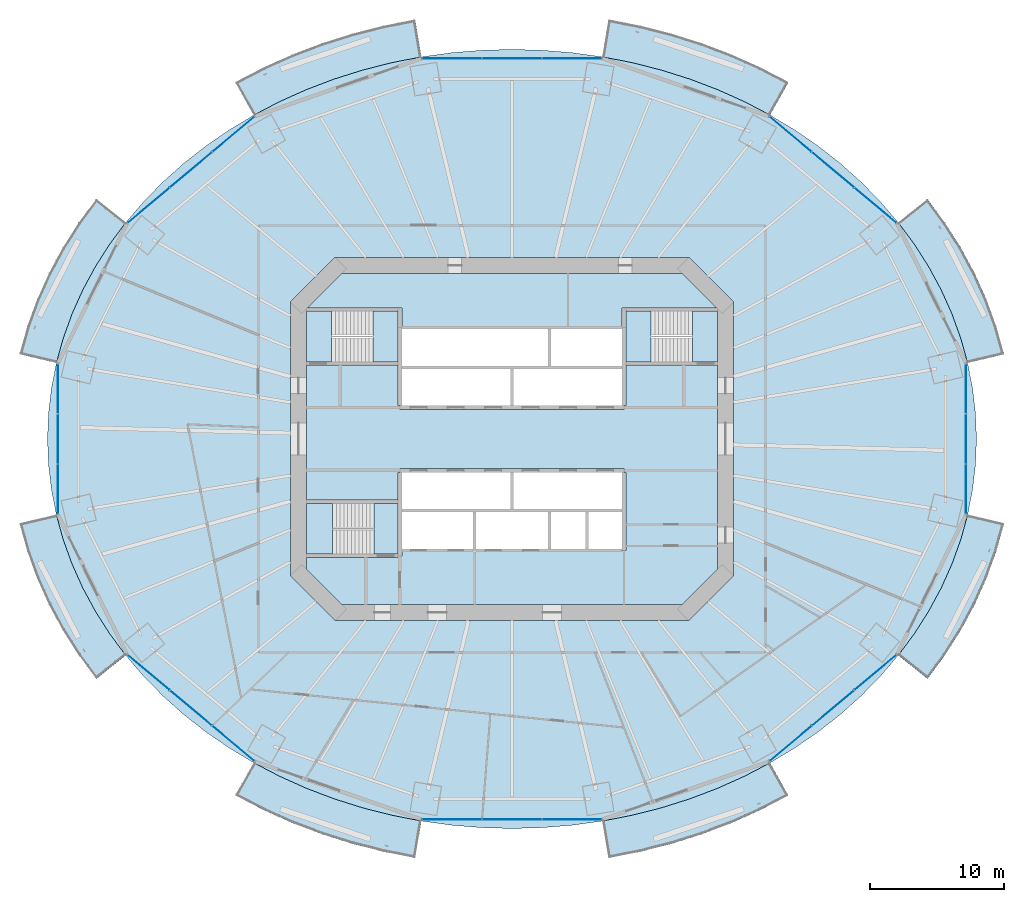
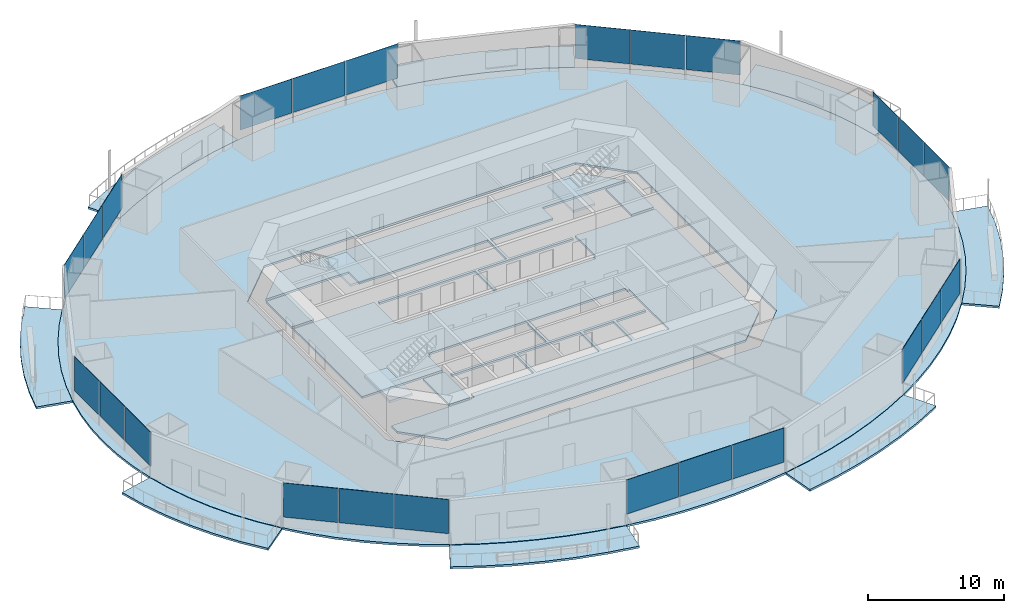
# One storey, part 12 of 22: 24 plates, 17 slabs, 11 elements without a shape of their own.
"""IFC4 building model written with IfcOpenShell, lengths in metres."""

import ifcopenshell
import ifcopenshell.guid

model = None  # the IFC model being written
_history = None  # IfcOwnerHistory: only IFC2X3 demands one
_inside = {}  # id of a spatial element -> (the spatial element, [elements in it])
_under = {}  # id of a project, library or spatial element -> (it, [spatial elements below it])
_declared = {}  # id of a project -> (the project, [libraries it declares])
_typed = {}  # id of a type object -> (the type object, [elements of that type])
_made_of = {}  # id of a material, layer set ... -> (it, [elements and type objects made of it])


def new_model(schema):
    """Start an empty IFC model of exactly this schema.

    Asked for "IFC4X3", IfcOpenShell would pick the latest addendum, in which some entities
    have other attributes; the version numbers below select the first issue.
    IFC2X3 requires an IfcOwnerHistory on every rooted entity: one is made here for all.
    """
    global model, _history
    if schema == "IFC4X3":
        model = ifcopenshell.file(schema_version=(4, 3, 0, 0))
    else:
        model = ifcopenshell.file(schema=schema)
    _inside.clear()
    _under.clear()
    _declared.clear()
    _typed.clear()
    _made_of.clear()
    _history = None
    if model.schema == "IFC2X3":
        org = make("IfcOrganization", Name="unknown")
        user = make(
            "IfcPersonAndOrganization",
            ThePerson=make("IfcPerson", FamilyName="unknown"),
            TheOrganization=org,
        )
        app = make(
            "IfcApplication",
            ApplicationDeveloper=org,
            Version="unknown",
            ApplicationFullName="unknown",
            ApplicationIdentifier="unknown",
        )
        _history = make(
            "IfcOwnerHistory",
            OwningUser=user,
            OwningApplication=app,
            ChangeAction="ADDED",
            CreationDate=0,
        )
    return model


def make(cls, **values):
    """One entity of the class cls with the attributes given. An attribute that is None is left unset."""
    return model.create_entity(
        cls, **{name: value for name, value in values.items() if value is not None}
    )


def rooted(cls, **values):
    """An entity with a GlobalId (a new one), such as an element, a storey or a relation."""
    return make(cls, GlobalId=ifcopenshell.guid.new(), OwnerHistory=_history, **values)


def si_unit(unit_type, name, prefix=None):
    """IfcSIUnit, for example si_unit("LENGTHUNIT", "METRE", prefix="MILLI")."""
    return make("IfcSIUnit", UnitType=unit_type, Prefix=prefix, Name=name)


def assignment(units):
    """IfcUnitAssignment: the units of a project."""
    return None if units is None else make("IfcUnitAssignment", Units=units)


def point(xyz):
    """IfcCartesianPoint."""
    return None if xyz is None else make("IfcCartesianPoint", Coordinates=xyz)


def direction(xyz):
    """IfcDirection."""
    return None if xyz is None else make("IfcDirection", DirectionRatios=xyz)


def frame(location, z_axis=None, x_axis=None):
    """IfcAxis2Placement3D, a coordinate frame: its origin and axes. An axis left out is left unset."""
    return make(
        "IfcAxis2Placement3D",
        Location=point(location),
        Axis=direction(z_axis),
        RefDirection=direction(x_axis),
    )


def frame_2d(location, x_axis=None):
    """IfcAxis2Placement2D, a coordinate frame in the plane: its origin and x axis."""
    return make(
        "IfcAxis2Placement2D", Location=point(location), RefDirection=direction(x_axis)
    )


def origin():
    """The frame at (0, 0, 0) with its axes left unset."""
    return frame((0.0, 0.0, 0.0))


def origin_2d():
    """The frame at (0, 0) in the plane with its x axis left unset."""
    return frame_2d((0.0, 0.0))


def place(relative_to, where):
    """IfcLocalPlacement: puts the frame where relative to a parent placement (None: the world)."""
    return make(
        "IfcLocalPlacement", PlacementRelTo=relative_to, RelativePlacement=where
    )


def context(
    kind, dimensions, precision=None, world=None, true_north=None, identifier=None
):
    """IfcGeometricRepresentationContext, for example the 3D "Model" context."""
    return make(
        "IfcGeometricRepresentationContext",
        ContextIdentifier=identifier,
        ContextType=kind,
        CoordinateSpaceDimension=dimensions,
        Precision=precision,
        WorldCoordinateSystem=world,
        TrueNorth=true_north,
    )


def subcontext(parent, identifier, kind, view, scale=None):
    """IfcGeometricRepresentationSubContext, for example "Body" below "Model"."""
    return make(
        "IfcGeometricRepresentationSubContext",
        ContextIdentifier=identifier,
        ContextType=kind,
        ParentContext=parent,
        TargetScale=scale,
        TargetView=view,
    )


def project(units=None, contexts=None):
    """IfcProject with its units and contexts."""
    return rooted(
        "IfcProject",
        Name="project",
        RepresentationContexts=contexts,
        UnitsInContext=assignment(units),
    )


def spatial(cls, under=None, at=None, **own):
    """A site, building, storey or space (cls), placed at a placement, below another one or the project."""
    s = rooted(cls, ObjectPlacement=at, **own)
    if under is not None:
        _under.setdefault(under.id(), (under, []))[1].append(s)
    return s


def polyline(points):
    """IfcPolyline through the points."""
    return make("IfcPolyline", Points=[point(p) for p in points])


def profile(cls, at=None, kind="AREA", **sizes):
    """A parametric profile (cls). Its sizes go by their IFC names, for example OverallWidth=200.0."""
    return make(cls, ProfileType=kind, Position=at, **sizes)


def rectangle(**sizes):
    """IfcRectangleProfileDef."""
    return profile("IfcRectangleProfileDef", **sizes)


def outline(outer, holes=None, kind="AREA"):
    """IfcArbitraryClosedProfileDef: a profile drawn as a closed curve; with holes, ...WithVoids."""
    if holes is None:
        return make("IfcArbitraryClosedProfileDef", ProfileType=kind, OuterCurve=outer)
    return make(
        "IfcArbitraryProfileDefWithVoids",
        ProfileType=kind,
        OuterCurve=outer,
        InnerCurves=holes,
    )


def extrude(swept, where, along, depth):
    """IfcExtrudedAreaSolid: the profile swept, set in the frame where, extruded along a direction by depth."""
    return make(
        "IfcExtrudedAreaSolid",
        SweptArea=swept,
        Position=where,
        ExtrudedDirection=direction(along),
        Depth=depth,
    )


def shape(context_of_items, identifier, shape_type, items):
    """IfcShapeRepresentation: the items that make up one representation, for example the "Body"."""
    return make(
        "IfcShapeRepresentation",
        ContextOfItems=context_of_items,
        RepresentationIdentifier=identifier,
        RepresentationType=shape_type,
        Items=items,
    )


def material(Name=None, Category=None):
    """IfcMaterial."""
    return make("IfcMaterial", Name=Name, Category=Category)


def layer(
    of_material, thickness, ventilated=None, Name=None, Category=None, Priority=None
):
    """IfcMaterialLayer: one layer of a wall or slab, of a material (None: an air gap)."""
    return make(
        "IfcMaterialLayer",
        Material=of_material,
        LayerThickness=thickness,
        IsVentilated=ventilated,
        Name=Name,
        Category=Category,
        Priority=Priority,
    )


def layer_set(layers, Name=None):
    """IfcMaterialLayerSet."""
    return make("IfcMaterialLayerSet", MaterialLayers=layers, LayerSetName=Name)


def made_of(thing, what):
    """Note that an element or type object is made of a material, layer set ...; save() writes the relation."""
    if what is not None:
        _made_of.setdefault(what.id(), (what, []))[1].append(thing)
    return thing


def type_object(cls, material=None, **own):
    """A type object (cls), such as IfcWallType, which elements share."""
    return made_of(rooted(cls, **own), material)


def element(
    cls,
    number,
    at=None,
    inside=None,
    cuts=None,
    type_object=None,
    material=None,
    context=None,
    identifier="Body",
    shape_type=None,
    held_by="IfcProductDefinitionShape",
    body=None,
    shapes=None,
    **own,
):
    """One element of the class cls, such as IfcWall. Its Tag is "e" and its number.

    at: its placement. inside: the storey or other place that contains it. cuts: it is an
    opening in that element (IfcRelVoidsElement). A single representation is given by context,
    identifier, shape_type and body (its items); several are given by shapes. held_by: the class
    of the entity that holds the representations. save() writes the other relations.
    """
    e = rooted(cls, Tag="e%d" % number, ObjectPlacement=at, **own)
    if body is not None:
        shapes = [shape(context, identifier, shape_type, body)]
    if shapes is not None:
        e.Representation = make(held_by, Representations=shapes)
    if inside is not None:
        _inside.setdefault(inside.id(), (inside, []))[1].append(e)
    if cuts is not None:
        rooted(
            "IfcRelVoidsElement", RelatingBuildingElement=cuts, RelatedOpeningElement=e
        )
    if type_object is not None:
        _typed.setdefault(type_object.id(), (type_object, []))[1].append(e)
    return made_of(e, material)


def aggregate(whole, parts):
    """IfcRelAggregates: a whole, such as a stair, and the parts it consists of."""
    return rooted("IfcRelAggregates", RelatingObject=whole, RelatedObjects=parts)


def save(model, path):
    """Write the relations noted so far, then the file.

    IfcRelAggregates (storeys below a building ...), IfcRelContainedInSpatialStructure (elements
    in a storey), IfcRelDefinesByType, IfcRelAssociatesMaterial and IfcRelDeclares: one each for
    every whole, place, type object, material and project.
    """
    for whole, parts in _under.values():
        aggregate(whole, parts)
    for where, things in _inside.values():
        rooted(
            "IfcRelContainedInSpatialStructure",
            RelatedElements=things,
            RelatingStructure=where,
        )
    for kind, things in _typed.values():
        rooted("IfcRelDefinesByType", RelatedObjects=things, RelatingType=kind)
    for what, things in _made_of.values():
        rooted("IfcRelAssociatesMaterial", RelatedObjects=things, RelatingMaterial=what)
    for by, libraries in _declared.values():
        rooted("IfcRelDeclares", RelatingContext=by, RelatedDefinitions=libraries)
    model.write(path)


model = new_model("IFC4")

# Units and contexts
model_context = context("Model", 3, precision=1e-05, world=origin(), true_north=direction((0.0, 1.0)))
body_context = subcontext(model_context, "Body", "Model", "MODEL_VIEW")
ifc_project = project(units=[si_unit("LENGTHUNIT", "METRE"), si_unit("AREAUNIT", "SQUARE_METRE"), si_unit("VOLUMEUNIT", "CUBIC_METRE"), si_unit("PLANEANGLEUNIT", "RADIAN"), si_unit("MASSUNIT", "GRAM", prefix="KILO")], contexts=[model_context])

# Site, building, storey
site_placement = place(None, origin())
site = spatial("IfcSite", under=ifc_project, at=site_placement, CompositionType="ELEMENT")
building_placement = place(site_placement, origin())
building = spatial("IfcBuilding", under=site, at=building_placement, Name="Marenthal Gate Tower", CompositionType="ELEMENT")
storey_placement = place(building_placement, frame((0.0, 0.0, 99.39990234375)))
storey = spatial("IfcBuildingStorey", under=building, at=storey_placement, Name="L20", CompositionType="ELEMENT", Elevation=99.39990234375)

# Slabs
ifc_material_1 = material(Name="Concrete 40 MPa", Category="concrete")
ifc_layer_1 = layer(ifc_material_1, 0.179931640625)
ifc_layer_set_1 = layer_set([ifc_layer_1], Name="Balcony deck 180")
slab_type_1 = type_object("IfcSlabType", Name="Balcony deck 180", PredefinedType="USERDEFINED", material=ifc_layer_set_1)
slab_1_placement = place(storey_placement, frame((0.0, 0.0, -0.219970703125)))
element("IfcSlab", 1, at=slab_1_placement, inside=storey, type_object=slab_type_1, Name="Balcony deck L20 bay 1", ObjectType="BALCONY", PredefinedType="USERDEFINED", context=body_context, shape_type="SweptSolid", body=[
    extrude(outline(polyline([(34.11962890625, 5.69140625), (33.6025390625, 7.550537109375), (32.94189453125, 9.37744140625), (32.139892578125, 11.1640625), (31.200439453125, 12.90283203125), (30.127197265625, 14.58642578125), (28.92529296875, 16.207763671875), (31.114990234375, 17.95263671875), (32.43359375, 16.17431640625), (33.614013671875, 14.322265625), (34.650390625, 12.404052734375), (35.537109375, 10.427978515625), (36.269775390625, 8.40283203125), (36.843994140625, 6.337646484375), (34.11962890625, 5.69140625)])), origin(), (0.0, 0.0, 1.0), 0.18017578125),
])
slab_2_placement = place(storey_placement, frame((0.0, 0.0, -0.219970703125)))
element("IfcSlab", 2, at=slab_2_placement, inside=storey, type_object=slab_type_1, Name="Balcony deck L20 bay 3", ObjectType="BALCONY", PredefinedType="USERDEFINED", context=body_context, shape_type="SweptSolid", body=[
    extrude(outline(polyline([(19.3271484375, 24.256591796875), (17.39404296875, 25.2646484375), (15.38623046875, 26.16455078125), (13.312744140625, 26.952392578125), (11.18212890625, 27.624755859375), (9.00390625, 28.178955078125), (6.786865234375, 28.6123046875), (7.24755859375, 31.374267578125), (9.61767578125, 30.910888671875), (11.94873046875, 30.31787109375), (14.2314453125, 29.59716796875), (16.456298828125, 28.751953125), (18.6142578125, 27.78466796875), (20.69580078125, 26.69921875), (19.3271484375, 24.256591796875)])), origin(), (0.0, 0.0, 1.0), 0.18017578125),
])
slab_3_placement = place(storey_placement, frame((0.0, 0.0, -0.219970703125)))
element("IfcSlab", 3, at=slab_3_placement, inside=storey, type_object=slab_type_1, Name="Balcony deck L20 bay 5", ObjectType="BALCONY", PredefinedType="USERDEFINED", context=body_context, shape_type="SweptSolid", body=[
    extrude(outline(polyline([(-6.786865234375, 28.6123046875), (-9.00390625, 28.178955078125), (-11.18212890625, 27.624755859375), (-13.312744140625, 26.952392578125), (-15.38623046875, 26.16455078125), (-17.39404296875, 25.2646484375), (-19.3271484375, 24.256591796875), (-20.69580078125, 26.69921875), (-18.6142578125, 27.78466796875), (-16.456298828125, 28.751953125), (-14.2314453125, 29.59716796875), (-11.94873046875, 30.31787109375), (-9.61767578125, 30.910888671875), (-7.24755859375, 31.374267578125), (-6.786865234375, 28.6123046875)])), origin(), (0.0, 0.0, 1.0), 0.18017578125),
])
slab_4_placement = place(storey_placement, frame((0.0, 0.0, -0.219970703125)))
element("IfcSlab", 4, at=slab_4_placement, inside=storey, type_object=slab_type_1, Name="Balcony deck L20 bay 7", ObjectType="BALCONY", PredefinedType="USERDEFINED", context=body_context, shape_type="SweptSolid", body=[
    extrude(outline(polyline([(-28.92529296875, 16.207763671875), (-30.127197265625, 14.58642578125), (-31.200439453125, 12.90283203125), (-32.139892578125, 11.1640625), (-32.94189453125, 9.37744140625), (-33.6025390625, 7.550537109375), (-34.11962890625, 5.69140625), (-36.843994140625, 6.337646484375), (-36.269775390625, 8.40283203125), (-35.537109375, 10.427978515625), (-34.650390625, 12.404052734375), (-33.614013671875, 14.322265625), (-32.43359375, 16.17431640625), (-31.114990234375, 17.95263671875), (-28.92529296875, 16.207763671875)])), origin(), (0.0, 0.0, 1.0), 0.18017578125),
])
slab_5_placement = place(storey_placement, frame((0.0, 0.0, -0.219970703125)))
element("IfcSlab", 5, at=slab_5_placement, inside=storey, type_object=slab_type_1, Name="Balcony deck L20 bay 9", ObjectType="BALCONY", PredefinedType="USERDEFINED", context=body_context, shape_type="SweptSolid", body=[
    extrude(outline(polyline([(-34.11962890625, -5.69140625), (-33.6025390625, -7.550537109375), (-32.94189453125, -9.37744140625), (-32.139892578125, -11.1640625), (-31.200439453125, -12.90283203125), (-30.127197265625, -14.58642578125), (-28.92529296875, -16.207763671875), (-31.114990234375, -17.95263671875), (-32.43359375, -16.17431640625), (-33.614013671875, -14.322265625), (-34.650390625, -12.404052734375), (-35.537109375, -10.427978515625), (-36.269775390625, -8.40283203125), (-36.843994140625, -6.337646484375), (-34.11962890625, -5.69140625)])), origin(), (0.0, 0.0, 1.0), 0.18017578125),
])
slab_6_placement = place(storey_placement, frame((0.0, 0.0, -0.219970703125)))
element("IfcSlab", 6, at=slab_6_placement, inside=storey, type_object=slab_type_1, Name="Balcony deck L20 bay 11", ObjectType="BALCONY", PredefinedType="USERDEFINED", context=body_context, shape_type="SweptSolid", body=[
    extrude(outline(polyline([(-19.3271484375, -24.256591796875), (-17.39404296875, -25.2646484375), (-15.38623046875, -26.16455078125), (-13.312744140625, -26.952392578125), (-11.18212890625, -27.624755859375), (-9.00390625, -28.178955078125), (-6.786865234375, -28.6123046875), (-7.24755859375, -31.374267578125), (-9.61767578125, -30.910888671875), (-11.94873046875, -30.31787109375), (-14.2314453125, -29.59716796875), (-16.456298828125, -28.751953125), (-18.6142578125, -27.78466796875), (-20.69580078125, -26.69921875), (-19.3271484375, -24.256591796875)])), origin(), (0.0, 0.0, 1.0), 0.18017578125),
])
slab_7_placement = place(storey_placement, frame((0.0, 0.0, -0.219970703125)))
element("IfcSlab", 7, at=slab_7_placement, inside=storey, type_object=slab_type_1, Name="Balcony deck L20 bay 13", ObjectType="BALCONY", PredefinedType="USERDEFINED", context=body_context, shape_type="SweptSolid", body=[
    extrude(outline(polyline([(6.786865234375, -28.6123046875), (9.00390625, -28.178955078125), (11.18212890625, -27.624755859375), (13.312744140625, -26.952392578125), (15.38623046875, -26.16455078125), (17.39404296875, -25.2646484375), (19.3271484375, -24.256591796875), (20.69580078125, -26.69921875), (18.6142578125, -27.78466796875), (16.456298828125, -28.751953125), (14.2314453125, -29.59716796875), (11.94873046875, -30.31787109375), (9.61767578125, -30.910888671875), (7.24755859375, -31.374267578125), (6.786865234375, -28.6123046875)])), origin(), (0.0, 0.0, 1.0), 0.18017578125),
])
slab_8_placement = place(storey_placement, frame((0.0, 0.0, -0.219970703125)))
element("IfcSlab", 8, at=slab_8_placement, inside=storey, type_object=slab_type_1, Name="Balcony deck L20 bay 15", ObjectType="BALCONY", PredefinedType="USERDEFINED", context=body_context, shape_type="SweptSolid", body=[
    extrude(outline(polyline([(28.92529296875, -16.207763671875), (30.127197265625, -14.58642578125), (31.200439453125, -12.90283203125), (32.139892578125, -11.1640625), (32.94189453125, -9.37744140625), (33.6025390625, -7.550537109375), (34.11962890625, -5.69140625), (36.843994140625, -6.337646484375), (36.269775390625, -8.40283203125), (35.537109375, -10.427978515625), (34.650390625, -12.404052734375), (33.614013671875, -14.322265625), (32.43359375, -16.17431640625), (31.114990234375, -17.95263671875), (28.92529296875, -16.207763671875)])), origin(), (0.0, 0.0, 1.0), 0.18017578125),
])
ifc_material_2 = material(Name="Concrete 50 MPa", Category="concrete")
ifc_layer_2 = layer(ifc_material_2, 0.179931640625)
ifc_layer_set_2 = layer_set([ifc_layer_2], Name="Core floor slab 180")
slab_type_2 = type_object("IfcSlabType", Name="Core floor slab 180", PredefinedType="FLOOR", material=ifc_layer_set_2)
slab_9_placement = place(storey_placement, frame((0.0, 0.0, -0.179931640625)))
element("IfcSlab", 9, at=slab_9_placement, inside=storey, type_object=slab_type_2, Name="Core floor L20", PredefinedType="FLOOR", context=body_context, shape_type="SweptSolid", body=[
    extrude(outline(polyline([(15.39990234375, -9.75146484375), (12.75146484375, -12.39990234375), (-12.75146484375, -12.39990234375), (-15.39990234375, -9.75146484375), (-15.39990234375, -8.875), (-8.550048828125, -8.875), (-8.550048828125, -8.75), (-8.25, -8.75), (-8.25, -8.239990234375), (-5.60009765625, -8.239990234375), (-2.909912109375, -8.239990234375), (-2.909912109375, -5.4599609375), (-5.60009765625, -5.4599609375), (-8.25, -5.4599609375), (-8.25, -5.239990234375), (-5.60009765625, -5.239990234375), (-2.800048828125, -5.239990234375), (-0.110107421875, -5.239990234375), (-0.110107421875, -2.5), (0.110107421875, -2.5), (0.110107421875, -5.239990234375), (2.800048828125, -5.239990234375), (5.60009765625, -5.239990234375), (8.25, -5.239990234375), (8.25, -5.4599609375), (5.7099609375, -5.4599609375), (5.7099609375, -8.239990234375), (8.25, -8.239990234375), (8.25, -8.35009765625), (8.550048828125, -8.35009765625), (8.550048828125, -2.5), (8.39990234375, -2.5), (8.39990234375, -2.199951171875), (-8.39990234375, -2.199951171875), (-8.39990234375, -2.5), (-8.550048828125, -2.5), (-8.550048828125, -4.574951171875), (-15.39990234375, -4.574951171875), (-15.39990234375, 5.52490234375), (-8.550048828125, 5.52490234375), (-8.550048828125, 2.5), (-8.39990234375, 2.5), (-8.39990234375, 2.199951171875), (8.39990234375, 2.199951171875), (8.39990234375, 2.5), (8.550048828125, 2.5), (8.550048828125, 5.52490234375), (15.39990234375, 5.52490234375), (15.39990234375, -9.75146484375)]), holes=[polyline([(2.68994140625, -5.4599609375), (0.0, -5.4599609375), (-2.68994140625, -5.4599609375), (-2.68994140625, -8.239990234375), (0.0, -8.239990234375), (2.68994140625, -8.239990234375), (2.68994140625, -5.4599609375)]), polyline([(5.489990234375, -5.4599609375), (2.909912109375, -5.4599609375), (2.909912109375, -8.239990234375), (5.489990234375, -8.239990234375), (5.489990234375, -5.4599609375)])]), origin(), (0.0, 0.0, 1.0), 0.179931640625),
])
slab_10_placement = place(storey_placement, frame((0.0, 0.0, -0.179931640625)))
element("IfcSlab", 10, at=slab_10_placement, inside=storey, type_object=slab_type_2, Name="Core floor L20", PredefinedType="FLOOR", context=body_context, shape_type="SweptSolid", body=[
    extrude(outline(polyline([(15.39990234375, 5.77490234375), (13.5, 5.77490234375), (13.5, 9.574951171875), (15.39990234375, 9.574951171875), (15.39990234375, 5.77490234375)])), origin(), (0.0, 0.0, 1.0), 0.179931640625),
])
slab_11_placement = place(storey_placement, frame((0.0, 0.0, -0.179931640625)))
element("IfcSlab", 11, at=slab_11_placement, inside=storey, type_object=slab_type_2, Name="Core floor L20", PredefinedType="FLOOR", context=body_context, shape_type="SweptSolid", body=[
    extrude(outline(polyline([(12.75146484375, 12.39990234375), (15.326416015625, 9.824951171875), (8.550048828125, 9.824951171875), (8.25, 9.824951171875), (8.25, 8.35009765625), (8.25, 8.239990234375), (5.60009765625, 8.239990234375), (2.909912109375, 8.239990234375), (2.909912109375, 5.4599609375), (5.60009765625, 5.4599609375), (8.25, 5.4599609375), (8.25, 5.239990234375), (5.60009765625, 5.239990234375), (2.800048828125, 5.239990234375), (0.110107421875, 5.239990234375), (0.110107421875, 2.5), (-0.110107421875, 2.5), (-0.110107421875, 5.239990234375), (-2.800048828125, 5.239990234375), (-5.60009765625, 5.239990234375), (-8.25, 5.239990234375), (-8.25, 5.4599609375), (-5.60009765625, 5.4599609375), (-2.800048828125, 5.4599609375), (0.0, 5.4599609375), (2.68994140625, 5.4599609375), (2.68994140625, 8.239990234375), (0.0, 8.239990234375), (-2.800048828125, 8.239990234375), (-5.60009765625, 8.239990234375), (-8.25, 8.239990234375), (-8.25, 8.35009765625), (-8.25, 9.824951171875), (-8.550048828125, 9.824951171875), (-15.326416015625, 9.824951171875), (-12.75146484375, 12.39990234375), (12.75146484375, 12.39990234375)])), origin(), (0.0, 0.0, 1.0), 0.179931640625),
])
slab_12_placement = place(storey_placement, frame((0.0, 0.0, -0.179931640625)))
element("IfcSlab", 12, at=slab_12_placement, inside=storey, type_object=slab_type_2, Name="Core floor L20", PredefinedType="FLOOR", context=body_context, shape_type="SweptSolid", body=[
    extrude(outline(polyline([(-15.39990234375, 9.574951171875), (-13.5, 9.574951171875), (-13.5, 5.77490234375), (-15.39990234375, 5.77490234375), (-15.39990234375, 9.574951171875)])), origin(), (0.0, 0.0, 1.0), 0.179931640625),
])
slab_13_placement = place(storey_placement, frame((0.0, 0.0, -0.179931640625)))
element("IfcSlab", 13, at=slab_13_placement, inside=storey, type_object=slab_type_2, Name="Core floor L20", PredefinedType="FLOOR", context=body_context, shape_type="SweptSolid", body=[
    extrude(outline(polyline([(-8.550048828125, -8.625), (-10.35009765625, -8.625), (-10.35009765625, -4.824951171875), (-8.550048828125, -4.824951171875), (-8.550048828125, -8.625)])), origin(), (0.0, 0.0, 1.0), 0.179931640625),
])
ifc_material_3 = material(Name="Concrete 35 MPa", Category="concrete")
ifc_layer_3 = layer(ifc_material_3, 0.179931640625)
ifc_layer_set_3 = layer_set([ifc_layer_3], Name="Floor slab 180")
slab_type_3 = type_object("IfcSlabType", Name="Floor slab 180", PredefinedType="FLOOR", material=ifc_layer_set_3)
slab_14_placement = place(storey_placement, frame((0.0, 0.0, -0.179931640625)))
element("IfcSlab", 14, at=slab_14_placement, inside=storey, type_object=slab_type_3, Name="SL-L20-01", PredefinedType="FLOOR", context=body_context, shape_type="SweptSolid", body=[
    extrude(outline(polyline([(34.7880859375, 0.0), (34.71337890625, 1.907958984375), (34.490478515625, 3.807861328125), (34.11962890625, 5.69140625), (33.6025390625, 7.550537109375), (32.94189453125, 9.37744140625), (32.139892578125, 11.1640625), (31.200439453125, 12.90283203125), (30.127197265625, 14.58642578125), (28.92529296875, 16.207763671875), (27.59912109375, 17.759521484375), (26.155029296875, 19.235107421875), (24.598876953125, 20.62841796875), (22.937255859375, 21.933349609375), (21.177490234375, 23.14453125), (19.3271484375, 24.256591796875), (17.39404296875, 25.2646484375), (15.38623046875, 26.16455078125), (13.312744140625, 26.952392578125), (11.18212890625, 27.624755859375), (9.00390625, 28.178955078125), (6.786865234375, 28.6123046875), (4.540771484375, 28.92333984375), (2.275146484375, 29.110595703125), (0.0, 29.173095703125), (-2.275146484375, 29.110595703125), (-4.540771484375, 28.92333984375), (-6.786865234375, 28.6123046875), (-9.00390625, 28.178955078125), (-11.18212890625, 27.624755859375), (-13.312744140625, 26.952392578125), (-15.38623046875, 26.16455078125), (-17.39404296875, 25.2646484375), (-19.3271484375, 24.256591796875), (-21.177490234375, 23.14453125), (-22.937255859375, 21.933349609375), (-24.598876953125, 20.62841796875), (-26.155029296875, 19.235107421875), (-27.59912109375, 17.759521484375), (-28.92529296875, 16.207763671875), (-30.127197265625, 14.58642578125), (-31.200439453125, 12.90283203125), (-32.139892578125, 11.1640625), (-32.94189453125, 9.37744140625), (-33.6025390625, 7.550537109375), (-34.11962890625, 5.69140625), (-34.490478515625, 3.807861328125), (-34.71337890625, 1.907958984375), (-34.7880859375, 0.0), (-34.71337890625, -1.907958984375), (-34.490478515625, -3.807861328125), (-34.11962890625, -5.69140625), (-33.6025390625, -7.550537109375), (-32.94189453125, -9.37744140625), (-32.139892578125, -11.1640625), (-31.200439453125, -12.90283203125), (-30.127197265625, -14.58642578125), (-28.92529296875, -16.207763671875), (-27.59912109375, -17.759521484375), (-26.155029296875, -19.235107421875), (-24.598876953125, -20.62841796875), (-22.937255859375, -21.933349609375), (-21.177490234375, -23.14453125), (-19.3271484375, -24.256591796875), (-17.39404296875, -25.2646484375), (-15.38623046875, -26.16455078125), (-13.312744140625, -26.952392578125), (-11.18212890625, -27.624755859375), (-9.00390625, -28.178955078125), (-6.786865234375, -28.6123046875), (-4.540771484375, -28.92333984375), (-2.275146484375, -29.110595703125), (0.0, -29.173095703125), (2.275146484375, -29.110595703125), (4.540771484375, -28.92333984375), (6.786865234375, -28.6123046875), (9.00390625, -28.178955078125), (11.18212890625, -27.624755859375), (13.312744140625, -26.952392578125), (15.38623046875, -26.16455078125), (17.39404296875, -25.2646484375), (19.3271484375, -24.256591796875), (21.177490234375, -23.14453125), (22.937255859375, -21.933349609375), (24.598876953125, -20.62841796875), (26.155029296875, -19.235107421875), (27.59912109375, -17.759521484375), (28.92529296875, -16.207763671875), (30.127197265625, -14.58642578125), (31.200439453125, -12.90283203125), (32.139892578125, -11.1640625), (32.94189453125, -9.37744140625), (33.6025390625, -7.550537109375), (34.11962890625, -5.69140625), (34.490478515625, -3.807861328125), (34.71337890625, -1.907958984375), (34.7880859375, 0.0)]), holes=[polyline([(13.24853515625, -13.60009765625), (16.60009765625, -10.24853515625), (16.60009765625, 10.24853515625), (13.24853515625, 13.60009765625), (-13.24853515625, 13.60009765625), (-16.60009765625, 10.24853515625), (-16.60009765625, -10.24853515625), (-13.24853515625, -13.60009765625), (13.24853515625, -13.60009765625)])]), origin(), (0.0, 0.0, 1.0), 0.179931640625),
])

# Curtain wall, plates
ifc_material_4 = material(Name="Aluminium and glass", Category="aluminium")
curtain_wall_type = type_object("IfcCurtainWallType", Name="Curtain wall typical low", PredefinedType="NOTDEFINED", material=ifc_material_4)
curtain_wall_1_placement = place(storey_placement, origin())
curtain_wall_1 = element("IfcCurtainWall", 15, at=curtain_wall_1_placement, inside=storey, type_object=curtain_wall_type, Name="Curtain wall L20 bay 2", PredefinedType="NOTDEFINED")
ifc_material_5 = material(Name="Glass, laminated insulating unit", Category="glass")
ifc_layer_4 = layer(ifc_material_5, 0.030029296875)
ifc_layer_set_4 = layer_set([ifc_layer_4], Name="Glass panel 30 typical low")
plate_type = type_object("IfcPlateType", Name="Glass panel 30 typical low", PredefinedType="CURTAIN_PANEL", material=ifc_layer_set_4)
plate_1_placement = place(storey_placement, frame((27.2158203125, 17.48974609375, 0.89990234375), z_axis=(0.0, 0.0, 1.0), x_axis=(-0.766446913648, 0.642307658805, 0.0)))
plate_1 = element("IfcPlate", 16, at=plate_1_placement, type_object=plate_type, Name="Glass panel L20 bay 2.1", PredefinedType="CURTAIN_PANEL", context=body_context, shape_type="SweptSolid", body=[
    extrude(rectangle(XDim=4.079833984375, YDim=0.030029296875, at=origin_2d()), origin(), (0.0, 0.0, 1.0), 3.070068359375),
])
plate_2_placement = place(storey_placement, frame((24.04296875, 20.14892578125, 0.89990234375), z_axis=(0.0, 0.0, 1.0), x_axis=(-0.766446913648, 0.642307658805, 0.0)))
plate_2 = element("IfcPlate", 17, at=plate_2_placement, type_object=plate_type, Name="Glass panel L20 bay 2.2", PredefinedType="CURTAIN_PANEL", context=body_context, shape_type="SweptSolid", body=[
    extrude(rectangle(XDim=4.079833984375, YDim=0.030029296875, at=origin_2d()), origin(), (0.0, 0.0, 1.0), 3.070068359375),
])
plate_3_placement = place(storey_placement, frame((20.869873046875, 22.807861328125, 0.89990234375), z_axis=(0.0, 0.0, 1.0), x_axis=(-0.766446913648, 0.642307658805, 0.0)))
plate_3 = element("IfcPlate", 18, at=plate_3_placement, type_object=plate_type, Name="Glass panel L20 bay 2.3", PredefinedType="CURTAIN_PANEL", context=body_context, shape_type="SweptSolid", body=[
    extrude(rectangle(XDim=4.079833984375, YDim=0.030029296875, at=origin_2d()), origin(), (0.0, 0.0, 1.0), 3.070068359375),
])
aggregate(curtain_wall_1, [plate_1, plate_2, plate_3])

curtain_wall_2_placement = place(storey_placement, origin())
curtain_wall_2 = element("IfcCurtainWall", 19, at=curtain_wall_2_placement, inside=storey, type_object=curtain_wall_type, Name="Curtain wall L20 bay 4", PredefinedType="NOTDEFINED")
plate_4_placement = place(storey_placement, frame((4.489013671875, 28.494873046875, 0.89990234375), z_axis=(0.0, 0.0, 1.0), x_axis=(-1.0, 0.0, 0.0)))
plate_4 = element("IfcPlate", 20, at=plate_4_placement, type_object=plate_type, Name="Glass panel L20 bay 4.1", PredefinedType="CURTAIN_PANEL", context=body_context, shape_type="SweptSolid", body=[
    extrude(rectangle(XDim=4.428955078125, YDim=0.030029296875, at=origin_2d()), origin(), (0.0, 0.0, 1.0), 3.070068359375),
])
plate_5_placement = place(storey_placement, frame((0.0, 28.494873046875, 0.89990234375), z_axis=(0.0, 0.0, 1.0), x_axis=(-1.0, 0.0, 0.0)))
plate_5 = element("IfcPlate", 21, at=plate_5_placement, type_object=plate_type, Name="Glass panel L20 bay 4.2", PredefinedType="CURTAIN_PANEL", context=body_context, shape_type="SweptSolid", body=[
    extrude(rectangle(XDim=4.428955078125, YDim=0.030029296875, at=origin_2d()), origin(), (0.0, 0.0, 1.0), 3.070068359375),
])
plate_6_placement = place(storey_placement, frame((-4.489013671875, 28.494873046875, 0.89990234375), z_axis=(0.0, 0.0, 1.0), x_axis=(-1.0, 0.0, 0.0)))
plate_6 = element("IfcPlate", 22, at=plate_6_placement, type_object=plate_type, Name="Glass panel L20 bay 4.3", PredefinedType="CURTAIN_PANEL", context=body_context, shape_type="SweptSolid", body=[
    extrude(rectangle(XDim=4.428955078125, YDim=0.030029296875, at=origin_2d()), origin(), (0.0, 0.0, 1.0), 3.070068359375),
])
aggregate(curtain_wall_2, [plate_4, plate_5, plate_6])

curtain_wall_3_placement = place(storey_placement, origin())
curtain_wall_3 = element("IfcCurtainWall", 23, at=curtain_wall_3_placement, inside=storey, type_object=curtain_wall_type, Name="Curtain wall L20 bay 6", PredefinedType="NOTDEFINED")
plate_7_placement = place(storey_placement, frame((-20.869873046875, 22.807861328125, 0.89990234375), z_axis=(0.0, 0.0, 1.0), x_axis=(-0.766446913648, -0.642307658805, 0.0)))
plate_7 = element("IfcPlate", 24, at=plate_7_placement, type_object=plate_type, Name="Glass panel L20 bay 6.1", PredefinedType="CURTAIN_PANEL", context=body_context, shape_type="SweptSolid", body=[
    extrude(rectangle(XDim=4.079833984375, YDim=0.030029296875, at=origin_2d()), origin(), (0.0, 0.0, 1.0), 3.070068359375),
])
plate_8_placement = place(storey_placement, frame((-24.04296875, 20.14892578125, 0.89990234375), z_axis=(0.0, 0.0, 1.0), x_axis=(-0.766446913648, -0.642307658805, 0.0)))
plate_8 = element("IfcPlate", 25, at=plate_8_placement, type_object=plate_type, Name="Glass panel L20 bay 6.2", PredefinedType="CURTAIN_PANEL", context=body_context, shape_type="SweptSolid", body=[
    extrude(rectangle(XDim=4.079833984375, YDim=0.030029296875, at=origin_2d()), origin(), (0.0, 0.0, 1.0), 3.070068359375),
])
plate_9_placement = place(storey_placement, frame((-27.2158203125, 17.48974609375, 0.89990234375), z_axis=(0.0, 0.0, 1.0), x_axis=(-0.766446913648, -0.642307658805, 0.0)))
plate_9 = element("IfcPlate", 26, at=plate_9_placement, type_object=plate_type, Name="Glass panel L20 bay 6.3", PredefinedType="CURTAIN_PANEL", context=body_context, shape_type="SweptSolid", body=[
    extrude(rectangle(XDim=4.079833984375, YDim=0.030029296875, at=origin_2d()), origin(), (0.0, 0.0, 1.0), 3.070068359375),
])
aggregate(curtain_wall_3, [plate_7, plate_8, plate_9])

curtain_wall_4_placement = place(storey_placement, origin())
curtain_wall_4 = element("IfcCurtainWall", 27, at=curtain_wall_4_placement, inside=storey, type_object=curtain_wall_type, Name="Curtain wall L20 bay 8", PredefinedType="NOTDEFINED")
plate_10_placement = place(storey_placement, frame((-34.001953125, 3.758544921875, 0.89990234375), z_axis=(0.0, 0.0, 1.0), x_axis=(0.0, -1.0, 0.0)))
plate_10 = element("IfcPlate", 28, at=plate_10_placement, type_object=plate_type, Name="Glass panel L20 bay 8.1", PredefinedType="CURTAIN_PANEL", context=body_context, shape_type="SweptSolid", body=[
    extrude(rectangle(XDim=3.69873046875, YDim=0.030029296875, at=origin_2d()), origin(), (0.0, 0.0, 1.0), 3.070068359375),
])
plate_11_placement = place(storey_placement, frame((-34.001953125, 0.0, 0.89990234375), z_axis=(0.0, 0.0, 1.0), x_axis=(0.0, -1.0, 0.0)))
plate_11 = element("IfcPlate", 29, at=plate_11_placement, type_object=plate_type, Name="Glass panel L20 bay 8.2", PredefinedType="CURTAIN_PANEL", context=body_context, shape_type="SweptSolid", body=[
    extrude(rectangle(XDim=3.698486328125, YDim=0.030029296875, at=origin_2d()), origin(), (0.0, 0.0, 1.0), 3.070068359375),
])
plate_12_placement = place(storey_placement, frame((-34.001953125, -3.758544921875, 0.89990234375), z_axis=(0.0, 0.0, 1.0), x_axis=(0.0, -1.0, 0.0)))
plate_12 = element("IfcPlate", 30, at=plate_12_placement, type_object=plate_type, Name="Glass panel L20 bay 8.3", PredefinedType="CURTAIN_PANEL", context=body_context, shape_type="SweptSolid", body=[
    extrude(rectangle(XDim=3.69873046875, YDim=0.030029296875, at=origin_2d()), origin(), (0.0, 0.0, 1.0), 3.070068359375),
])
aggregate(curtain_wall_4, [plate_10, plate_11, plate_12])

curtain_wall_5_placement = place(storey_placement, origin())
curtain_wall_5 = element("IfcCurtainWall", 31, at=curtain_wall_5_placement, inside=storey, type_object=curtain_wall_type, Name="Curtain wall L20 bay 10", PredefinedType="NOTDEFINED")
plate_13_placement = place(storey_placement, frame((-27.2158203125, -17.48974609375, 0.89990234375), z_axis=(0.0, 0.0, 1.0), x_axis=(0.766446913648, -0.642307658805, 0.0)))
plate_13 = element("IfcPlate", 32, at=plate_13_placement, type_object=plate_type, Name="Glass panel L20 bay 10.1", PredefinedType="CURTAIN_PANEL", context=body_context, shape_type="SweptSolid", body=[
    extrude(rectangle(XDim=4.079833984375, YDim=0.030029296875, at=origin_2d()), origin(), (0.0, 0.0, 1.0), 3.070068359375),
])
plate_14_placement = place(storey_placement, frame((-24.04296875, -20.14892578125, 0.89990234375), z_axis=(0.0, 0.0, 1.0), x_axis=(0.766446913648, -0.642307658805, 0.0)))
plate_14 = element("IfcPlate", 33, at=plate_14_placement, type_object=plate_type, Name="Glass panel L20 bay 10.2", PredefinedType="CURTAIN_PANEL", context=body_context, shape_type="SweptSolid", body=[
    extrude(rectangle(XDim=4.079833984375, YDim=0.030029296875, at=origin_2d()), origin(), (0.0, 0.0, 1.0), 3.070068359375),
])
plate_15_placement = place(storey_placement, frame((-20.869873046875, -22.807861328125, 0.89990234375), z_axis=(0.0, 0.0, 1.0), x_axis=(0.766446913648, -0.642307658805, 0.0)))
plate_15 = element("IfcPlate", 34, at=plate_15_placement, type_object=plate_type, Name="Glass panel L20 bay 10.3", PredefinedType="CURTAIN_PANEL", context=body_context, shape_type="SweptSolid", body=[
    extrude(rectangle(XDim=4.079833984375, YDim=0.030029296875, at=origin_2d()), origin(), (0.0, 0.0, 1.0), 3.070068359375),
])
aggregate(curtain_wall_5, [plate_13, plate_14, plate_15])

curtain_wall_6_placement = place(storey_placement, origin())
curtain_wall_6 = element("IfcCurtainWall", 35, at=curtain_wall_6_placement, inside=storey, type_object=curtain_wall_type, Name="Curtain wall L20 bay 12", PredefinedType="NOTDEFINED")
plate_16_placement = place(storey_placement, frame((-4.489013671875, -28.494873046875, 0.89990234375), z_axis=(0.0, 0.0, 1.0), x_axis=(1.0, 0.0, 0.0)))
plate_16 = element("IfcPlate", 36, at=plate_16_placement, type_object=plate_type, Name="Glass panel L20 bay 12.1", PredefinedType="CURTAIN_PANEL", context=body_context, shape_type="SweptSolid", body=[
    extrude(rectangle(XDim=4.428955078125, YDim=0.030029296875, at=origin_2d()), origin(), (0.0, 0.0, 1.0), 3.070068359375),
])
plate_17_placement = place(storey_placement, frame((0.0, -28.494873046875, 0.89990234375), z_axis=(0.0, 0.0, 1.0), x_axis=(1.0, 0.0, 0.0)))
plate_17 = element("IfcPlate", 37, at=plate_17_placement, type_object=plate_type, Name="Glass panel L20 bay 12.2", PredefinedType="CURTAIN_PANEL", context=body_context, shape_type="SweptSolid", body=[
    extrude(rectangle(XDim=4.428955078125, YDim=0.030029296875, at=origin_2d()), origin(), (0.0, 0.0, 1.0), 3.070068359375),
])
plate_18_placement = place(storey_placement, frame((4.489013671875, -28.494873046875, 0.89990234375), z_axis=(0.0, 0.0, 1.0), x_axis=(1.0, 0.0, 0.0)))
plate_18 = element("IfcPlate", 38, at=plate_18_placement, type_object=plate_type, Name="Glass panel L20 bay 12.3", PredefinedType="CURTAIN_PANEL", context=body_context, shape_type="SweptSolid", body=[
    extrude(rectangle(XDim=4.428955078125, YDim=0.030029296875, at=origin_2d()), origin(), (0.0, 0.0, 1.0), 3.070068359375),
])
aggregate(curtain_wall_6, [plate_16, plate_17, plate_18])

curtain_wall_7_placement = place(storey_placement, origin())
curtain_wall_7 = element("IfcCurtainWall", 39, at=curtain_wall_7_placement, inside=storey, type_object=curtain_wall_type, Name="Curtain wall L20 bay 14", PredefinedType="NOTDEFINED")
plate_19_placement = place(storey_placement, frame((20.869873046875, -22.807861328125, 0.89990234375), z_axis=(0.0, 0.0, 1.0), x_axis=(0.766446913648, 0.642307658805, 0.0)))
plate_19 = element("IfcPlate", 40, at=plate_19_placement, type_object=plate_type, Name="Glass panel L20 bay 14.1", PredefinedType="CURTAIN_PANEL", context=body_context, shape_type="SweptSolid", body=[
    extrude(rectangle(XDim=4.079833984375, YDim=0.030029296875, at=origin_2d()), origin(), (0.0, 0.0, 1.0), 3.070068359375),
])
plate_20_placement = place(storey_placement, frame((24.04296875, -20.14892578125, 0.89990234375), z_axis=(0.0, 0.0, 1.0), x_axis=(0.766446913648, 0.642307658805, 0.0)))
plate_20 = element("IfcPlate", 41, at=plate_20_placement, type_object=plate_type, Name="Glass panel L20 bay 14.2", PredefinedType="CURTAIN_PANEL", context=body_context, shape_type="SweptSolid", body=[
    extrude(rectangle(XDim=4.079833984375, YDim=0.030029296875, at=origin_2d()), origin(), (0.0, 0.0, 1.0), 3.070068359375),
])
plate_21_placement = place(storey_placement, frame((27.2158203125, -17.48974609375, 0.89990234375), z_axis=(0.0, 0.0, 1.0), x_axis=(0.766446913648, 0.642307658805, 0.0)))
plate_21 = element("IfcPlate", 42, at=plate_21_placement, type_object=plate_type, Name="Glass panel L20 bay 14.3", PredefinedType="CURTAIN_PANEL", context=body_context, shape_type="SweptSolid", body=[
    extrude(rectangle(XDim=4.079833984375, YDim=0.030029296875, at=origin_2d()), origin(), (0.0, 0.0, 1.0), 3.070068359375),
])
aggregate(curtain_wall_7, [plate_19, plate_20, plate_21])

curtain_wall_8_placement = place(storey_placement, origin())
curtain_wall_8 = element("IfcCurtainWall", 43, at=curtain_wall_8_placement, inside=storey, type_object=curtain_wall_type, Name="Curtain wall L20 bay 16", PredefinedType="NOTDEFINED")
plate_22_placement = place(storey_placement, frame((34.001953125, -3.758544921875, 0.89990234375), z_axis=(0.0, 0.0, 1.0), x_axis=(0.0, 1.0, 0.0)))
plate_22 = element("IfcPlate", 44, at=plate_22_placement, type_object=plate_type, Name="Glass panel L20 bay 16.1", PredefinedType="CURTAIN_PANEL", context=body_context, shape_type="SweptSolid", body=[
    extrude(rectangle(XDim=3.69873046875, YDim=0.030029296875, at=origin_2d()), origin(), (0.0, 0.0, 1.0), 3.070068359375),
])
plate_23_placement = place(storey_placement, frame((34.001953125, 0.0, 0.89990234375), z_axis=(0.0, 0.0, 1.0), x_axis=(0.0, 1.0, 0.0)))
plate_23 = element("IfcPlate", 45, at=plate_23_placement, type_object=plate_type, Name="Glass panel L20 bay 16.2", PredefinedType="CURTAIN_PANEL", context=body_context, shape_type="SweptSolid", body=[
    extrude(rectangle(XDim=3.698486328125, YDim=0.030029296875, at=origin_2d()), origin(), (0.0, 0.0, 1.0), 3.070068359375),
])
plate_24_placement = place(storey_placement, frame((34.001953125, 3.758544921875, 0.89990234375), z_axis=(0.0, 0.0, 1.0), x_axis=(0.0, 1.0, 0.0)))
plate_24 = element("IfcPlate", 46, at=plate_24_placement, type_object=plate_type, Name="Glass panel L20 bay 16.3", PredefinedType="CURTAIN_PANEL", context=body_context, shape_type="SweptSolid", body=[
    extrude(rectangle(XDim=3.69873046875, YDim=0.030029296875, at=origin_2d()), origin(), (0.0, 0.0, 1.0), 3.070068359375),
])
aggregate(curtain_wall_8, [plate_22, plate_23, plate_24])

# Stair, slab
ifc_material_6 = material(Name="Concrete 40 MPa", Category="concrete")
stair_type = type_object("IfcStairType", Name="Exit stair 1800", PredefinedType="HALF_TURN_STAIR", material=ifc_material_6)
stair_1_placement = place(storey_placement, origin())
stair_1 = element("IfcStair", 47, at=stair_1_placement, inside=storey, type_object=stair_type, Name="Stair ST1", PredefinedType="HALF_TURN_STAIR")
ifc_material_7 = material(Name="Concrete 40 MPa", Category="concrete")
ifc_layer_5 = layer(ifc_material_7, 0.199951171875)
ifc_layer_set_5 = layer_set([ifc_layer_5], Name="Stair landing 200")
slab_type_4 = type_object("IfcSlabType", Name="Stair landing 200", PredefinedType="LANDING", material=ifc_layer_set_5)
slab_15_placement = place(storey_placement, frame((0.0, 0.0, 1.875)))
slab_15 = element("IfcSlab", 48, at=slab_15_placement, type_object=slab_type_4, Name="ST1 landing 1", PredefinedType="LANDING", context=body_context, shape_type="SweptSolid", body=[
    extrude(outline(polyline([(-10.419921875, 5.77490234375), (-8.550048828125, 5.77490234375), (-8.550048828125, 9.574951171875), (-10.419921875, 9.574951171875), (-10.419921875, 5.77490234375)])), origin(), (0.0, 0.0, 1.0), 0.2001953125),
])
aggregate(stair_1, [slab_15])

stair_2_placement = place(storey_placement, origin())
stair_2 = element("IfcStair", 49, at=stair_2_placement, inside=storey, type_object=stair_type, Name="Stair ST2", PredefinedType="HALF_TURN_STAIR")
slab_16_placement = place(storey_placement, frame((0.0, 0.0, 1.875)))
slab_16 = element("IfcSlab", 50, at=slab_16_placement, type_object=slab_type_4, Name="ST2 landing 1", PredefinedType="LANDING", context=body_context, shape_type="SweptSolid", body=[
    extrude(outline(polyline([(-15.39990234375, -8.625), (-13.429931640625, -8.625), (-13.429931640625, -4.824951171875), (-15.39990234375, -4.824951171875), (-15.39990234375, -8.625)])), origin(), (0.0, 0.0, 1.0), 0.2001953125),
])
aggregate(stair_2, [slab_16])

stair_3_placement = place(storey_placement, origin())
stair_3 = element("IfcStair", 51, at=stair_3_placement, inside=storey, type_object=stair_type, Name="Stair ST3", PredefinedType="HALF_TURN_STAIR")
slab_17_placement = place(storey_placement, frame((0.0, 0.0, 1.875)))
slab_17 = element("IfcSlab", 52, at=slab_17_placement, type_object=slab_type_4, Name="ST3 landing 1", PredefinedType="LANDING", context=body_context, shape_type="SweptSolid", body=[
    extrude(outline(polyline([(8.550048828125, 5.77490234375), (10.419921875, 5.77490234375), (10.419921875, 9.574951171875), (8.550048828125, 9.574951171875), (8.550048828125, 5.77490234375)])), origin(), (0.0, 0.0, 1.0), 0.2001953125),
])
aggregate(stair_3, [slab_17])

save(model, "model.ifc")
